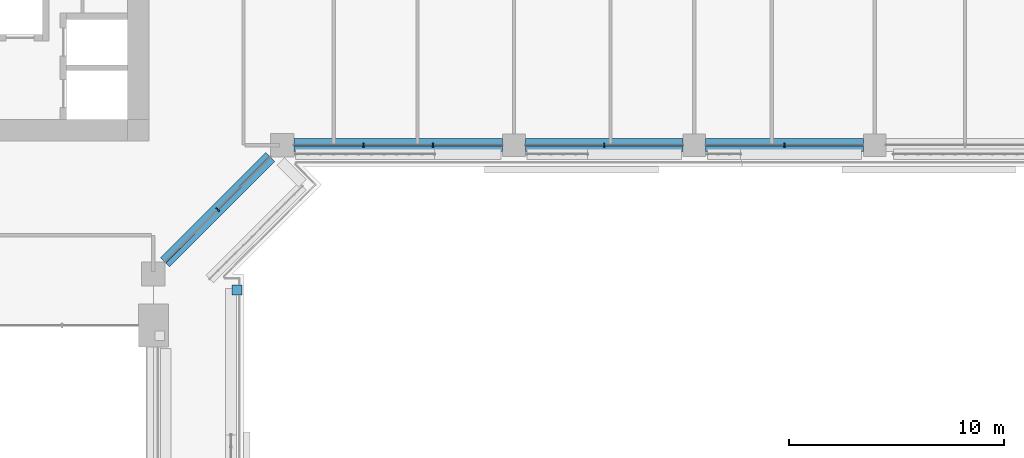
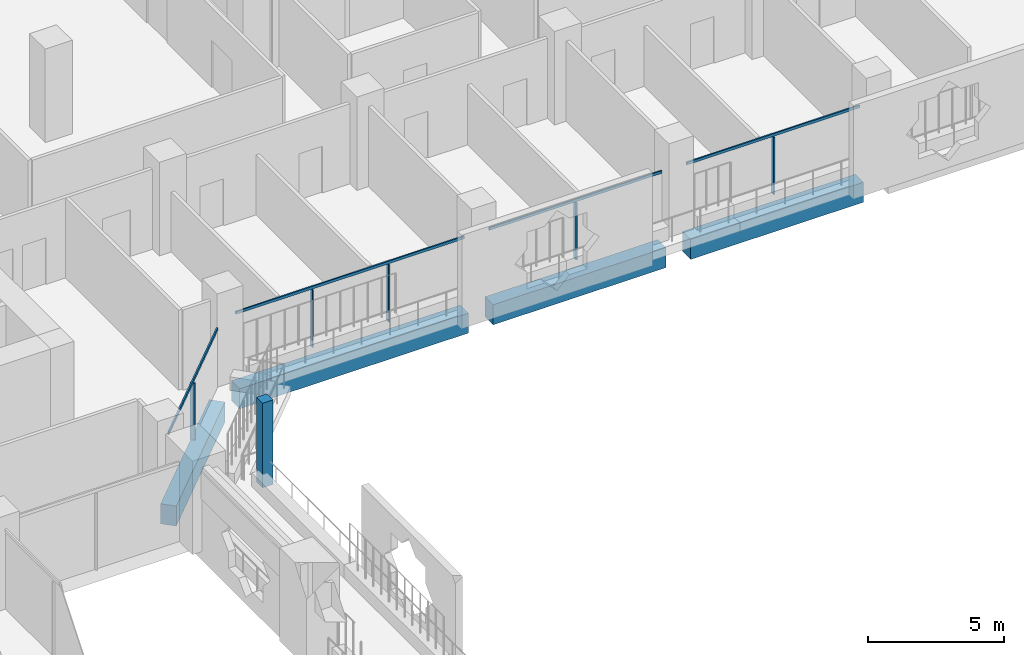
# One storey, part 6 of 29: 10 members, 4 beams, 3 elements without a shape of their own.
"""IFC4 building model written with IfcOpenShell, lengths in metres."""

from ifc_helpers import new_model, si_unit, direction, frame, origin, origin_2d, place, context, subcontext, project, spatial, rectangle, extrude, material, layer, layer_set, material_profile, profile_set, type_object, element, aggregate, save


model = new_model("IFC4")

# Units and contexts
model_context = context("Model", 3, precision=1e-05, world=origin(), true_north=direction((0.0, 1.0)))
body_context = subcontext(model_context, "Body", "Model", "MODEL_VIEW")
ifc_project = project(units=[si_unit("LENGTHUNIT", "METRE"), si_unit("AREAUNIT", "SQUARE_METRE"), si_unit("VOLUMEUNIT", "CUBIC_METRE"), si_unit("PLANEANGLEUNIT", "RADIAN"), si_unit("MASSUNIT", "GRAM", prefix="KILO")], contexts=[model_context])

# Site, building, storey
site_placement = place(None, origin())
site = spatial("IfcSite", under=ifc_project, at=site_placement, CompositionType="ELEMENT")
building_placement = place(site_placement, origin())
building = spatial("IfcBuilding", under=site, at=building_placement, Name="Kawkab Arch Medical Tower", CompositionType="ELEMENT")
storey_placement = place(building_placement, frame((0.0, 0.0, 107.199951171875)))
storey = spatial("IfcBuildingStorey", under=building, at=storey_placement, Name="L24", CompositionType="ELEMENT", Elevation=107.199951171875)

# Curtain wall, members
ifc_material_1 = material(Name="Bronze anodised aluminium curtain wall frame", Category="aluminium")
ifc_layer_1 = layer(ifc_material_1, 0.159912109375)
ifc_layer_set_1 = layer_set([ifc_layer_1], Name="Bronze anodised aluminium curtain wall frame")
curtain_wall_type_1 = type_object("IfcCurtainWallType", Name="CW1 ward curtain wall", PredefinedType="NOTDEFINED", material=ifc_layer_set_1)
placement = place(storey_placement, origin())
curtain_wall_1 = element("IfcCurtainWall", 1, at=placement, inside=storey, type_object=curtain_wall_type_1, Name="CW1 Ward curtain wall R07", PredefinedType="NOTDEFINED")
ifc_material_2 = material(Name="Bronze anodised aluminium curtain wall frame", Category="aluminium")
ifc_material_profile_1 = material_profile(ifc_material_2, rectangle(XDim=0.179931640625, YDim=0.06005859375, at=origin_2d()), Name="AL 60x180")
ifc_profile_set_1 = profile_set([ifc_material_profile_1], Name="Bronze anodised aluminium curtain wall frame")
member_type_1 = type_object("IfcMemberType", Name="CW1 mullion 60 x 180", PredefinedType="MULLION", material=ifc_profile_set_1)
member_1_placement = place(storey_placement, frame((34.99169921875, -25.199951171875, 0.0), z_axis=(0.0, 0.0, 1.0), x_axis=(0.0, 1.0, 0.0)))
member_1 = element("IfcMember", 2, at=member_1_placement, type_object=member_type_1, Name="CW1 mullion 1.1", PredefinedType="MULLION", context=body_context, shape_type="SweptSolid", body=[
    extrude(rectangle(XDim=0.179931640625, YDim=0.06005859375, at=origin_2d()), origin(), (0.0, 0.0, 1.0), 2.580078125),
])
member_2_placement = place(storey_placement, frame((38.2333984375, -25.199951171875, 0.0), z_axis=(0.0, 0.0, 1.0), x_axis=(0.0, 1.0, 0.0)))
member_2 = element("IfcMember", 3, at=member_2_placement, type_object=member_type_1, Name="CW1 mullion 1.2", PredefinedType="MULLION", context=body_context, shape_type="SweptSolid", body=[
    extrude(rectangle(XDim=0.179931640625, YDim=0.06005859375, at=origin_2d()), origin(), (0.0, 0.0, 1.0), 2.580078125),
])
member_3_placement = place(storey_placement, frame((46.199951171875, -25.199951171875, 0.0), z_axis=(0.0, 0.0, 1.0), x_axis=(0.0, 1.0, 0.0)))
member_3 = element("IfcMember", 4, at=member_3_placement, type_object=member_type_1, Name="CW1 mullion 2.1", PredefinedType="MULLION", context=body_context, shape_type="SweptSolid", body=[
    extrude(rectangle(XDim=0.179931640625, YDim=0.06005859375, at=origin_2d()), origin(), (0.0, 0.0, 1.0), 2.580078125),
])
member_4_placement = place(storey_placement, frame((54.60009765625, -25.199951171875, 0.0), z_axis=(0.0, 0.0, 1.0), x_axis=(0.0, 1.0, 0.0)))
member_4 = element("IfcMember", 5, at=member_4_placement, type_object=member_type_1, Name="CW1 mullion 3.1", PredefinedType="MULLION", context=body_context, shape_type="SweptSolid", body=[
    extrude(rectangle(XDim=0.179931640625, YDim=0.06005859375, at=origin_2d()), origin(), (0.0, 0.0, 1.0), 2.580078125),
])
ifc_material_3 = material(Name="Bronze anodised aluminium curtain wall frame", Category="aluminium")
ifc_material_profile_2 = material_profile(ifc_material_3, rectangle(XDim=0.06005859375, YDim=0.1201171875, at=origin_2d()), Name="AL 60x120")
ifc_profile_set_2 = profile_set([ifc_material_profile_2], Name="Bronze anodised aluminium curtain wall frame")
member_type_2 = type_object("IfcMemberType", Name="CW1 transom 120 x 60", PredefinedType="USERDEFINED", material=ifc_profile_set_2)
member_5_placement = place(storey_placement, frame((31.75, -25.199951171875, 2.64013671875), z_axis=(1.0, 0.0, 0.0), x_axis=(0.0, 1.0, 0.0)))
member_5 = element("IfcMember", 6, at=member_5_placement, type_object=member_type_2, Name="CW1 transom 1", ObjectType="TRANSOM", PredefinedType="USERDEFINED", context=body_context, shape_type="SweptSolid", body=[
    extrude(rectangle(XDim=0.06005859375, YDim=0.1201171875, at=origin_2d()), origin(), (0.0, 0.0, 1.0), 9.72509765625),
])
member_6_placement = place(storey_placement, frame((42.52490234375, -25.199951171875, 2.64013671875), z_axis=(1.0, 0.0, 0.0), x_axis=(0.0, 1.0, 0.0)))
member_6 = element("IfcMember", 7, at=member_6_placement, type_object=member_type_2, Name="CW1 transom 2", ObjectType="TRANSOM", PredefinedType="USERDEFINED", context=body_context, shape_type="SweptSolid", body=[
    extrude(rectangle(XDim=0.06005859375, YDim=0.1201171875, at=origin_2d()), origin(), (0.0, 0.0, 1.0), 7.35009765625),
])
member_7_placement = place(storey_placement, frame((50.925048828125, -25.199951171875, 2.64013671875), z_axis=(1.0, 0.0, 0.0), x_axis=(0.0, 1.0, 0.0)))
member_7 = element("IfcMember", 8, at=member_7_placement, type_object=member_type_2, Name="CW1 transom 3", ObjectType="TRANSOM", PredefinedType="USERDEFINED", context=body_context, shape_type="SweptSolid", body=[
    extrude(rectangle(XDim=0.06005859375, YDim=0.1201171875, at=origin_2d()), origin(), (0.0, 0.0, 1.0), 7.349853515625),
])
aggregate(curtain_wall_1, [member_5, member_1, member_2, member_6, member_3, member_7, member_4])

ifc_material_4 = material(Name="Bronze anodised aluminium curtain wall frame", Category="aluminium")
ifc_layer_2 = layer(ifc_material_4, 0.159912109375)
ifc_layer_set_2 = layer_set([ifc_layer_2], Name="Bronze anodised aluminium curtain wall frame")
curtain_wall_type_2 = type_object("IfcCurtainWallType", Name="CW2 chamfer curtain wall", PredefinedType="NOTDEFINED", material=ifc_layer_set_2)
curtain_wall_2 = element("IfcCurtainWall", 9, at=placement, inside=storey, type_object=curtain_wall_type_2, Name="CW2 Chamfer curtain wall R06", PredefinedType="NOTDEFINED")
ifc_material_5 = material(Name="Bronze anodised aluminium curtain wall frame", Category="aluminium")
ifc_material_profile_3 = material_profile(ifc_material_5, rectangle(XDim=0.199951171875, YDim=0.06005859375, at=origin_2d()), Name="AL 60x200")
ifc_profile_set_3 = profile_set([ifc_material_profile_3], Name="Bronze anodised aluminium curtain wall frame")
member_type_3 = type_object("IfcMemberType", Name="CW2 mullion 60 x 200", PredefinedType="MULLION", material=ifc_profile_set_3)
member_8_placement = place(storey_placement, frame((28.199951171875, -28.199951171875, 0.0), z_axis=(0.0, 0.0, 1.0), x_axis=(-0.707106781187, 0.707106781187, 0.0)))
member_8 = element("IfcMember", 10, at=member_8_placement, type_object=member_type_3, Name="CW2 mullion 1.1", PredefinedType="MULLION", context=body_context, shape_type="SweptSolid", body=[
    extrude(rectangle(XDim=0.199951171875, YDim=0.06005859375, at=origin_2d()), origin(), (0.0, 0.0, 1.0), 2.56005859375),
])
ifc_material_6 = material(Name="Bronze anodised aluminium curtain wall frame", Category="aluminium")
ifc_material_profile_4 = material_profile(ifc_material_6, rectangle(XDim=0.06005859375, YDim=0.139892578125, at=origin_2d()), Name="AL 60x140")
ifc_profile_set_4 = profile_set([ifc_material_profile_4], Name="Bronze anodised aluminium curtain wall frame")
member_type_4 = type_object("IfcMemberType", Name="CW2 transom 140 x 60", PredefinedType="USERDEFINED", material=ifc_profile_set_4)
member_9_placement = place(storey_placement, frame((25.75, -30.64990234375, 2.630126953125), z_axis=(0.707106781187, 0.707106781187, 0.0), x_axis=(-0.707106781187, 0.707106781187, 0.0)))
member_9 = element("IfcMember", 11, at=member_9_placement, type_object=member_type_4, Name="CW2 transom 1", ObjectType="TRANSOM", PredefinedType="USERDEFINED", context=body_context, shape_type="SweptSolid", body=[
    extrude(rectangle(XDim=0.06005859375, YDim=0.139892578125, at=origin_2d()), origin(), (0.0, 0.0, 1.0), 6.929443359375),
])
aggregate(curtain_wall_2, [member_9, member_8])

# Curtain wall, member
ifc_material_7 = material(Name="Bronze anodised aluminium climber frame, planted", Category="aluminium")
ifc_layer_3 = layer(ifc_material_7, 0.449951171875)
ifc_layer_set_3 = layer_set([ifc_layer_3], Name="Bronze anodised aluminium climber frame, planted")
curtain_wall_type_3 = type_object("IfcCurtainWallType", Name="Planted climber frame", PredefinedType="NOTDEFINED", material=ifc_layer_set_3)
curtain_wall_3 = element("IfcCurtainWall", 12, at=placement, inside=storey, type_object=curtain_wall_type_3, Name="Planted climber frame L24", PredefinedType="NOTDEFINED")
ifc_material_8 = material(Name="Bronze anodised aluminium climber frame, planted", Category="aluminium")
ifc_material_profile_5 = material_profile(ifc_material_8, rectangle(XDim=0.449951171875, YDim=0.449951171875, at=origin_2d()), Name="Post 450x450")
ifc_profile_set_5 = profile_set([ifc_material_profile_5], Name="Bronze anodised aluminium climber frame, planted")
member_type_5 = type_object("IfcMemberType", Name="Planted climber post 450 x 450", PredefinedType="MULLION", material=ifc_profile_set_5)
member_10_placement = place(storey_placement, frame((29.10009765625, -31.949951171875, 0.0), z_axis=(0.0, 0.0, 1.0), x_axis=(1.0, 0.0, 0.0)))
member_10 = element("IfcMember", 13, at=member_10_placement, type_object=member_type_5, Name="Planted climber post L24.LOG-01-02.3", PredefinedType="MULLION", context=body_context, shape_type="SweptSolid", body=[
    extrude(rectangle(XDim=0.449951171875, YDim=0.449951171875, at=origin_2d()), origin(), (0.0, 0.0, 1.0), 3.800048828125),
])
aggregate(curtain_wall_3, [member_10])

# Beams
ifc_material_9 = material(Name="Concrete C55/67", Category="concrete")
ifc_material_profile_6 = material_profile(ifc_material_9, rectangle(XDim=0.60009765625, YDim=0.89990234375, at=origin_2d()), Name="RC 600x900")
ifc_profile_set_6 = profile_set([ifc_material_profile_6], Name="Concrete C55/67")
beam_type = type_object("IfcBeamType", Name="RC 600x900 beam C55/67", PredefinedType="BEAM", material=ifc_profile_set_6)
beam_1_placement = place(storey_placement, frame((58.27490234375, -25.199951171875, -1.050048828125), z_axis=(-1.0, 0.0, 0.0), x_axis=(0.0, -1.0, 0.0)))
element("IfcBeam", 14, at=beam_1_placement, inside=storey, type_object=beam_type, Name="Overhang edge beam L24-04", PredefinedType="BEAM", context=body_context, shape_type="SweptSolid", body=[
    extrude(rectangle(XDim=0.60009765625, YDim=0.89990234375, at=origin_2d()), origin(), (0.0, 0.0, 1.0), 7.349853515625),
])
beam_2_placement = place(storey_placement, frame((49.875, -25.199951171875, -1.050048828125), z_axis=(-1.0, 0.0, 0.0), x_axis=(0.0, -1.0, 0.0)))
element("IfcBeam", 15, at=beam_2_placement, inside=storey, type_object=beam_type, Name="Overhang edge beam L24-05", PredefinedType="BEAM", context=body_context, shape_type="SweptSolid", body=[
    extrude(rectangle(XDim=0.60009765625, YDim=0.89990234375, at=origin_2d()), origin(), (0.0, 0.0, 1.0), 7.35009765625),
])
beam_3_placement = place(storey_placement, frame((41.47509765625, -25.199951171875, -1.050048828125), z_axis=(-1.0, 0.0, 0.0), x_axis=(0.0, -1.0, 0.0)))
element("IfcBeam", 16, at=beam_3_placement, inside=storey, type_object=beam_type, Name="Overhang edge beam L24-06", PredefinedType="BEAM", context=body_context, shape_type="SweptSolid", body=[
    extrude(rectangle(XDim=0.60009765625, YDim=0.89990234375, at=origin_2d()), origin(), (0.0, 0.0, 1.0), 9.72509765625),
])
beam_4_placement = place(storey_placement, frame((30.64990234375, -25.75, -1.050048828125), z_axis=(-0.707106781187, -0.707106781187, 0.0), x_axis=(0.707106781187, -0.707106781187, 0.0)))
element("IfcBeam", 17, at=beam_4_placement, inside=storey, type_object=beam_type, Name="Overhang edge beam L24-07", PredefinedType="BEAM", context=body_context, shape_type="SweptSolid", body=[
    extrude(rectangle(XDim=0.60009765625, YDim=0.89990234375, at=origin_2d()), origin(), (0.0, 0.0, 1.0), 6.929443359375),
])

save(model, "model.ifc")
